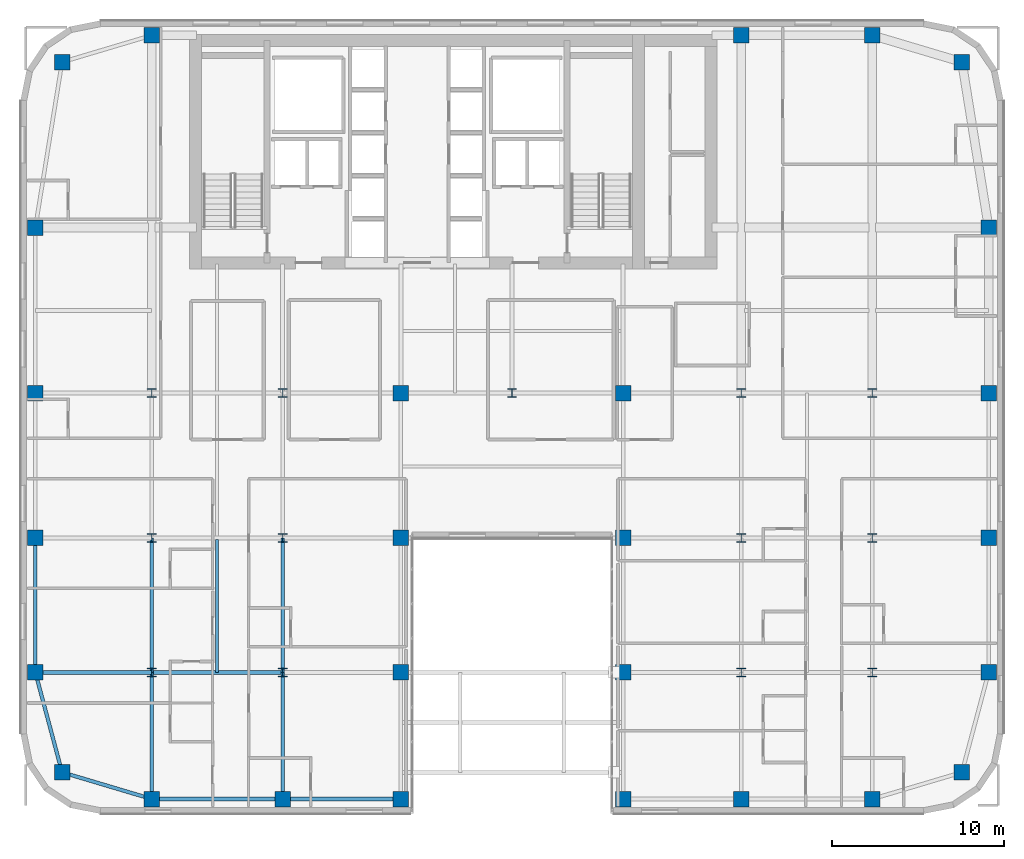
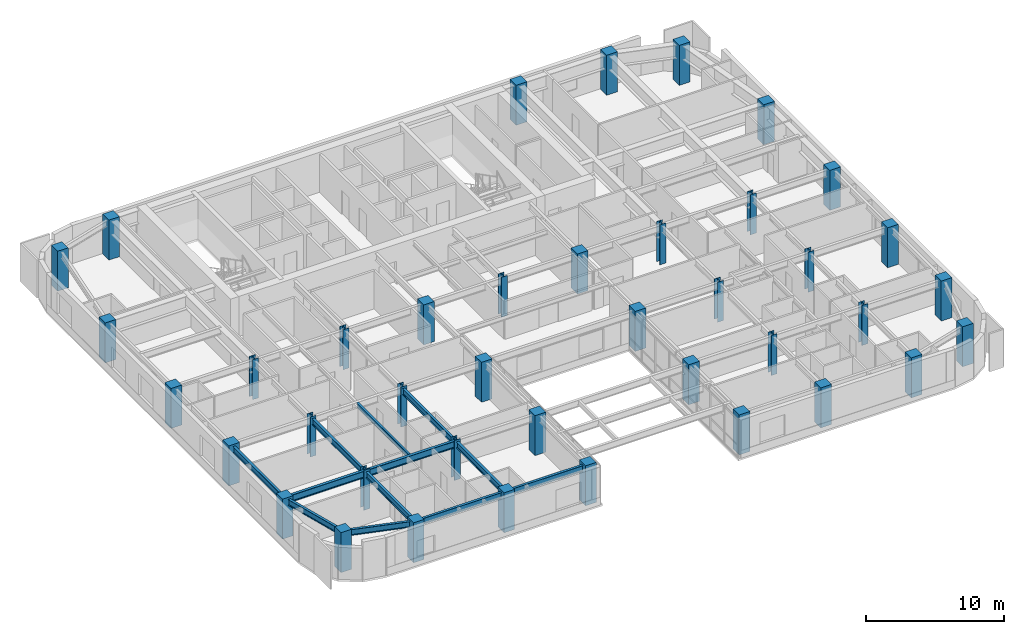
# One storey, part 1 of 24: 40 columns, 12 beams.
"""IFC4 building model written with IfcOpenShell, lengths in metres."""

from ifc_helpers import new_model, si_unit, direction, frame, origin, origin_2d, place, context, subcontext, project, spatial, rectangle, i_section, extrude, source, transform, mapped, material, material_profile, profile_set, type_object, type_shapes, element, save


model = new_model("IFC4")

# Units and contexts
model_context = context("Model", 3, precision=1e-05, world=origin(), true_north=direction((0.0, 1.0)))
body_context = subcontext(model_context, "Body", "Model", "MODEL_VIEW")
ifc_project = project(units=[si_unit("LENGTHUNIT", "METRE"), si_unit("AREAUNIT", "SQUARE_METRE"), si_unit("VOLUMEUNIT", "CUBIC_METRE"), si_unit("PLANEANGLEUNIT", "RADIAN"), si_unit("MASSUNIT", "GRAM", prefix="KILO")], contexts=[model_context])

# Site, building, storey
site_placement = place(None, origin())
site = spatial("IfcSite", under=ifc_project, at=site_placement, CompositionType="ELEMENT")
building_placement = place(site_placement, origin())
building = spatial("IfcBuilding", under=site, at=building_placement, Name="Tolvann Quenvar Hotel", CompositionType="ELEMENT")
storey_placement = place(building_placement, frame((0.0, 0.0, 118.64990234375)))
storey = spatial("IfcBuildingStorey", under=building, at=storey_placement, Name="L30", CompositionType="ELEMENT", Elevation=118.64990234375)

# Columns
ifc_material_1 = material(Name="Concrete S65 (65 MPa)", Category="concrete")
ifc_material_profile_1 = material_profile(ifc_material_1, rectangle(XDim=0.89990234375, YDim=0.89990234375, at=origin_2d()), Name="RC900x900")
ifc_profile_set_1 = profile_set([ifc_material_profile_1], Name="Concrete S65 (65 MPa)")
column_type_1 = type_object("IfcColumnType", Name="COL_RC900", PredefinedType="COLUMN", material=ifc_profile_set_1)
shared_shape_1 = source(origin(), body_context, "Body", "SweptSolid", [
    extrude(rectangle(XDim=0.89990234375, YDim=0.89990234375, at=origin_2d()), origin(), (0.0, 0.0, 1.0), 3.550048828125),
])
type_shapes(column_type_1, [shared_shape_1])
for number, where, z_axis, x_axis, name in (
    (1, (2.39990234375, 2.39990234375, 0.0), (0.0, 0.0, 1.0), (1.0, 0.0, 0.0), "Column B2 (L30)"),
    (2, (0.85009765625, 8.199951171875, 0.0), (0.0, 0.0, 1.0), (1.0, 0.0, 0.0), "Column B3 (L30)"),
    (3, (0.85009765625, 16.0, 0.0), (0.0, 0.0, 1.0), (1.0, 0.0, 0.0), "Column B4 (L30)"),
    (4, (0.85009765625, 24.39990234375, 0.0), (0.0, 0.0, 1.0), (1.0, 0.0, 0.0), "Column B5 (L30)"),
    (5, (7.60009765625, 0.85009765625, 0.0), (0.0, 0.0, 1.0), (1.0, 0.0, 0.0), "Column C2 (L30)"),
    (6, (15.199951171875, 0.85009765625, 0.0), (0.0, 0.0, 1.0), (1.0, 0.0, 0.0), "Column D2 (L30)"),
    (7, (22.050048828125, 0.85009765625, 0.0), (0.0, 0.0, 1.0), (1.0, 0.0, 0.0), "Column E2 (L30)"),
    (8, (22.050048828125, 8.199951171875, 0.0), (0.0, 0.0, 1.0), (1.0, 0.0, 0.0), "Column E3 (L30)"),
    (9, (22.050048828125, 16.0, 0.0), (0.0, 0.0, 1.0), (1.0, 0.0, 0.0), "Column E4 (L30)"),
    (10, (22.050048828125, 24.39990234375, 0.0), (0.0, 0.0, 1.0), (1.0, 0.0, 0.0), "Column E5 (L30)"),
    (11, (34.949951171875, 0.85009765625, 0.0), (0.0, 0.0, 1.0), (1.0, 0.0, 0.0), "Column F2 (L30)"),
    (12, (34.949951171875, 8.199951171875, 0.0), (0.0, 0.0, 1.0), (1.0, 0.0, 0.0), "Column F3 (L30)"),
    (13, (34.949951171875, 16.0, 0.0), (0.0, 0.0, 1.0), (1.0, 0.0, 0.0), "Column F4 (L30)"),
    (14, (34.949951171875, 24.39990234375, 0.0), (0.0, 0.0, 1.0), (1.0, 0.0, 0.0), "Column F5 (L30)"),
    (15, (41.800048828125, 0.85009765625, 0.0), (0.0, 0.0, 1.0), (1.0, 0.0, 0.0), "Column H2 (L30)"),
    (16, (49.39990234375, 0.85009765625, 0.0), (0.0, 0.0, 1.0), (1.0, 0.0, 0.0), "Column I2 (L30)"),
    (17, (54.60009765625, 2.39990234375, 0.0), (0.0, 0.0, 1.0), (1.0, 0.0, 0.0), "Column J2 (L30)"),
    (18, (56.14990234375, 8.199951171875, 0.0), (0.0, 0.0, 1.0), (1.0, 0.0, 0.0), "Column J3 (L30)"),
    (19, (56.14990234375, 16.0, 0.0), (0.0, 0.0, 1.0), (1.0, 0.0, 0.0), "Column J4 (L30)"),
    (20, (56.14990234375, 24.39990234375, 0.0), (0.0, 0.0, 1.0), (1.0, 0.0, 0.0), "Column J5 (L30)"),
    (21, (2.39990234375, 43.60009765625, 0.0), (0.0, 0.0, 1.0), (1.0, 0.0, 0.0), "Column BN (L30)"),
    (22, (7.60009765625, 45.14990234375, 0.0), (0.0, 0.0, 1.0), (1.0, 0.0, 0.0), "Column CN (L30)"),
    (23, (0.85009765625, 34.0, 0.0), (0.0, 0.0, 1.0), (1.0, 0.0, 0.0), "Column BD6 (L30)"),
    (24, (41.800048828125, 45.14990234375, 0.0), (0.0, 0.0, 1.0), (1.0, 0.0, 0.0), "Column HN (L30)"),
    (25, (49.39990234375, 45.14990234375, 0.0), (0.0, 0.0, 1.0), (1.0, 0.0, 0.0), "Column IN (L30)"),
    (26, (54.60009765625, 43.60009765625, 0.0), (0.0, 0.0, 1.0), (1.0, 0.0, 0.0), "Column JN (L30)"),
    (27, (56.14990234375, 34.0, 0.0), (0.0, 0.0, 1.0), (1.0, 0.0, 0.0), "Column JD6 (L30)"),
):
    element("IfcColumn", number, at=place(storey_placement, frame(where, z_axis=z_axis, x_axis=x_axis)), inside=storey, type_object=column_type_1, Name=name, PredefinedType="COLUMN", context=body_context, shape_type="MappedRepresentation", body=[
        mapped(shared_shape_1, transform((0.0, 0.0, 0.0), x_axis=(1.0, 0.0, 0.0), y_axis=(0.0, 1.0, 0.0), z_axis=(0.0, 0.0, 1.0), scale=1.0)),
    ])
ifc_material_2 = material(Name="Steel Grade 350", Category="steel")
ifc_material_profile_2 = material_profile(ifc_material_2, i_section(OverallWidth=0.5, OverallDepth=0.5, WebThickness=0.02197265625, FlangeThickness=0.033935546875, at=origin_2d()), Name="500WC340")
ifc_profile_set_2 = profile_set([ifc_material_profile_2], Name="Steel Grade 350")
column_type_2 = type_object("IfcColumnType", Name="COL_500WC340", PredefinedType="COLUMN", material=ifc_profile_set_2)
shared_shape_2 = source(origin(), body_context, "Body", "SweptSolid", [
    extrude(i_section(OverallWidth=0.5, OverallDepth=0.5, WebThickness=0.02197265625, FlangeThickness=0.033935546875, at=origin_2d()), origin(), (0.0, 0.0, 1.0), 3.550048828125),
])
type_shapes(column_type_2, [shared_shape_2])
for number, where, z_axis, x_axis, name in (
    (28, (7.60009765625, 8.199951171875, 0.0), (0.0, 0.0, 1.0), (1.0, 0.0, 0.0), "Column C3 (L30)"),
    (29, (7.60009765625, 16.0, 0.0), (0.0, 0.0, 1.0), (1.0, 0.0, 0.0), "Column C4 (L30)"),
    (30, (7.60009765625, 24.39990234375, 0.0), (0.0, 0.0, 1.0), (1.0, 0.0, 0.0), "Column C5 (L30)"),
    (31, (15.199951171875, 8.199951171875, 0.0), (0.0, 0.0, 1.0), (1.0, 0.0, 0.0), "Column D3 (L30)"),
    (32, (15.199951171875, 16.0, 0.0), (0.0, 0.0, 1.0), (1.0, 0.0, 0.0), "Column D4 (L30)"),
    (33, (15.199951171875, 24.39990234375, 0.0), (0.0, 0.0, 1.0), (1.0, 0.0, 0.0), "Column D5 (L30)"),
    (34, (41.800048828125, 8.199951171875, 0.0), (0.0, 0.0, 1.0), (1.0, 0.0, 0.0), "Column H3 (L30)"),
    (35, (41.800048828125, 16.0, 0.0), (0.0, 0.0, 1.0), (1.0, 0.0, 0.0), "Column H4 (L30)"),
    (36, (41.800048828125, 24.39990234375, 0.0), (0.0, 0.0, 1.0), (1.0, 0.0, 0.0), "Column H5 (L30)"),
    (37, (49.39990234375, 8.199951171875, 0.0), (0.0, 0.0, 1.0), (1.0, 0.0, 0.0), "Column I3 (L30)"),
    (38, (49.39990234375, 16.0, 0.0), (0.0, 0.0, 1.0), (1.0, 0.0, 0.0), "Column I4 (L30)"),
    (39, (49.39990234375, 24.39990234375, 0.0), (0.0, 0.0, 1.0), (1.0, 0.0, 0.0), "Column I5 (L30)"),
    (40, (28.5, 24.39990234375, 0.0), (0.0, 0.0, 1.0), (1.0, 0.0, 0.0), "Column M5 (L30)"),
):
    element("IfcColumn", number, at=place(storey_placement, frame(where, z_axis=z_axis, x_axis=x_axis)), inside=storey, type_object=column_type_2, Name=name, PredefinedType="COLUMN", context=body_context, shape_type="MappedRepresentation", body=[
        mapped(shared_shape_2, transform((0.0, 0.0, 0.0), x_axis=(1.0, 0.0, 0.0), y_axis=(0.0, 1.0, 0.0), z_axis=(0.0, 0.0, 1.0), scale=1.0)),
    ])

# Beams
ifc_material_profile_3 = material_profile(ifc_material_2, i_section(OverallWidth=0.208984375, OverallDepth=0.528076171875, WebThickness=0.009521484375, FlangeThickness=0.01318359375, FilletRadius=0.013916015625, at=origin_2d()), Name="530UB82")
ifc_profile_set_3 = profile_set([ifc_material_profile_3], Name="Steel Grade 350")
beam_type_1 = type_object("IfcBeamType", Name="BM_SPAND_530UB82", PredefinedType="SPANDREL", material=ifc_profile_set_3)
shared_shape_3 = source(origin(), body_context, "Body", "SweptSolid", [
    extrude(i_section(OverallWidth=0.208984375, OverallDepth=0.528076171875, WebThickness=0.009521484375, FlangeThickness=0.01318359375, FilletRadius=0.013916015625, at=origin_2d()), origin(), (0.0, 0.0, 1.0), 5.42626953125),
])
beam_1_placement = place(storey_placement, frame((2.39990234375, 2.39990234375, 3.106201171875), z_axis=(0.958344815522, -0.285613750654, 0.0), x_axis=(0.285613750654, 0.958344815522, 0.0)))
element("IfcBeam", 41, at=beam_1_placement, inside=storey, type_object=beam_type_1, Name="BM-L30-EW-2-B2-C2", PredefinedType="SPANDREL", context=body_context, shape_type="MappedRepresentation", body=[
    mapped(shared_shape_3, transform((0.0, 0.0, 0.0), x_axis=(1.0, 0.0, 0.0), y_axis=(0.0, 1.0, 0.0), z_axis=(0.0, 0.0, 1.0), scale=1.0)),
])
shared_shape_4 = source(origin(), body_context, "Body", "SweptSolid", [
    extrude(i_section(OverallWidth=0.208984375, OverallDepth=0.528076171875, WebThickness=0.009521484375, FlangeThickness=0.01318359375, FilletRadius=0.013916015625, at=origin_2d()), origin(), (0.0, 0.0, 1.0), 7.599853515625),
])
beam_2_placement = place(storey_placement, frame((7.60009765625, 0.85009765625, 3.106201171875), z_axis=(1.0, 0.0, 0.0), x_axis=(0.0, 1.0, 0.0)))
element("IfcBeam", 42, at=beam_2_placement, inside=storey, type_object=beam_type_1, Name="BM-L30-EW-2-C2-D2", PredefinedType="SPANDREL", context=body_context, shape_type="MappedRepresentation", body=[
    mapped(shared_shape_4, transform((0.0, 0.0, 0.0), x_axis=(1.0, 0.0, 0.0), y_axis=(0.0, 1.0, 0.0), z_axis=(0.0, 0.0, 1.0), scale=1.0)),
])
shared_shape_5 = source(origin(), body_context, "Body", "SweptSolid", [
    extrude(i_section(OverallWidth=0.208984375, OverallDepth=0.528076171875, WebThickness=0.009521484375, FlangeThickness=0.01318359375, FilletRadius=0.013916015625, at=origin_2d()), origin(), (0.0, 0.0, 1.0), 6.85009765625),
])
beam_3_placement = place(storey_placement, frame((15.199951171875, 0.85009765625, 3.106201171875), z_axis=(1.0, 0.0, 0.0), x_axis=(0.0, 1.0, 0.0)))
element("IfcBeam", 43, at=beam_3_placement, inside=storey, type_object=beam_type_1, Name="BM-L30-EW-2-D2-E2", PredefinedType="SPANDREL", context=body_context, shape_type="MappedRepresentation", body=[
    mapped(shared_shape_5, transform((0.0, 0.0, 0.0), x_axis=(1.0, 0.0, 0.0), y_axis=(0.0, 1.0, 0.0), z_axis=(0.0, 0.0, 1.0), scale=1.0)),
])
ifc_material_profile_4 = material_profile(ifc_material_2, i_section(OverallWidth=0.22900390625, OverallDepth=0.612060546875, WebThickness=0.011962890625, FlangeThickness=0.01953125, FilletRadius=0.013916015625, at=origin_2d()), Name="610UB125")
ifc_profile_set_4 = profile_set([ifc_material_profile_4], Name="Steel Grade 350")
beam_type_2 = type_object("IfcBeamType", Name="BM_GIRD_610UB125", PredefinedType="BEAM", material=ifc_profile_set_4)
shared_shape_6 = source(origin(), body_context, "Body", "SweptSolid", [
    extrude(i_section(OverallWidth=0.22900390625, OverallDepth=0.612060546875, WebThickness=0.011962890625, FlangeThickness=0.01953125, FilletRadius=0.013916015625, at=origin_2d()), origin(), (0.0, 0.0, 1.0), 6.75),
])
beam_4_placement = place(storey_placement, frame((0.85009765625, 8.199951171875, 3.064208984375), z_axis=(1.0, 0.0, 0.0), x_axis=(0.0, 1.0, 0.0)))
element("IfcBeam", 44, at=beam_4_placement, inside=storey, type_object=beam_type_2, Name="BM-L30-EW-3-B3-C3", PredefinedType="BEAM", context=body_context, shape_type="MappedRepresentation", body=[
    mapped(shared_shape_6, transform((0.0, 0.0, 0.0), x_axis=(1.0, 0.0, 0.0), y_axis=(0.0, 1.0, 0.0), z_axis=(0.0, 0.0, 1.0), scale=1.0)),
])
shared_shape_7 = source(origin(), body_context, "Body", "SweptSolid", [
    extrude(i_section(OverallWidth=0.22900390625, OverallDepth=0.612060546875, WebThickness=0.011962890625, FlangeThickness=0.01953125, FilletRadius=0.013916015625, at=origin_2d()), origin(), (0.0, 0.0, 1.0), 7.599853515625),
])
type_shapes(beam_type_2, [shared_shape_6, shared_shape_7])
beam_5_placement = place(storey_placement, frame((7.60009765625, 8.199951171875, 3.064208984375), z_axis=(1.0, 0.0, 0.0), x_axis=(0.0, 1.0, 0.0)))
element("IfcBeam", 45, at=beam_5_placement, inside=storey, type_object=beam_type_2, Name="BM-L30-EW-3-C3-D3", PredefinedType="BEAM", context=body_context, shape_type="MappedRepresentation", body=[
    mapped(shared_shape_7, transform((0.0, 0.0, 0.0), x_axis=(1.0, 0.0, 0.0), y_axis=(0.0, 1.0, 0.0), z_axis=(0.0, 0.0, 1.0), scale=1.0)),
])
shared_shape_8 = source(origin(), body_context, "Body", "SweptSolid", [
    extrude(i_section(OverallWidth=0.208984375, OverallDepth=0.528076171875, WebThickness=0.009521484375, FlangeThickness=0.01318359375, FilletRadius=0.013916015625, at=origin_2d()), origin(), (0.0, 0.0, 1.0), 6.00341796875),
])
beam_6_placement = place(storey_placement, frame((2.39990234375, 2.39990234375, 3.106201171875), z_axis=(-0.258148586649, 0.966105225745, 0.0), x_axis=(-0.966105225745, -0.258148586649, 0.0)))
element("IfcBeam", 46, at=beam_6_placement, inside=storey, type_object=beam_type_1, Name="BM-L30-NS-B2-B3", PredefinedType="SPANDREL", context=body_context, shape_type="MappedRepresentation", body=[
    mapped(shared_shape_8, transform((0.0, 0.0, 0.0), x_axis=(1.0, 0.0, 0.0), y_axis=(0.0, 1.0, 0.0), z_axis=(0.0, 0.0, 1.0), scale=1.0)),
])
shared_shape_9 = source(origin(), body_context, "Body", "SweptSolid", [
    extrude(i_section(OverallWidth=0.208984375, OverallDepth=0.528076171875, WebThickness=0.009521484375, FlangeThickness=0.01318359375, FilletRadius=0.013916015625, at=origin_2d()), origin(), (0.0, 0.0, 1.0), 7.800048828125),
])
type_shapes(beam_type_1, [shared_shape_3, shared_shape_4, shared_shape_5, shared_shape_8, shared_shape_9])
beam_7_placement = place(storey_placement, frame((0.85009765625, 8.199951171875, 3.106201171875), z_axis=(0.0, 1.0, 0.0), x_axis=(-1.0, 0.0, 0.0)))
element("IfcBeam", 47, at=beam_7_placement, inside=storey, type_object=beam_type_1, Name="BM-L30-NS-B3-B4", PredefinedType="SPANDREL", context=body_context, shape_type="MappedRepresentation", body=[
    mapped(shared_shape_9, transform((0.0, 0.0, 0.0), x_axis=(1.0, 0.0, 0.0), y_axis=(0.0, 1.0, 0.0), z_axis=(0.0, 0.0, 1.0), scale=1.0)),
])
ifc_material_profile_5 = material_profile(ifc_material_2, i_section(OverallWidth=0.208984375, OverallDepth=0.532958984375, WebThickness=0.01025390625, FlangeThickness=0.015625, FilletRadius=0.013916015625, at=origin_2d()), Name="530UB92")
ifc_profile_set_5 = profile_set([ifc_material_profile_5], Name="Steel Grade 350")
beam_type_3 = type_object("IfcBeamType", Name="BM_GIRD_530UB92", PredefinedType="BEAM", material=ifc_profile_set_5)
shared_shape_10 = source(origin(), body_context, "Body", "SweptSolid", [
    extrude(i_section(OverallWidth=0.208984375, OverallDepth=0.532958984375, WebThickness=0.01025390625, FlangeThickness=0.015625, FilletRadius=0.013916015625, at=origin_2d()), origin(), (0.0, 0.0, 1.0), 7.349853515625),
])
for number, where, z_axis, x_axis, name in (
    (48, (7.60009765625, 0.85009765625, 3.103515625), (0.0, 1.0, 0.0), (-1.0, 0.0, 0.0), "BM-L30-NS-C2-C3"),
    (49, (15.199951171875, 0.85009765625, 3.103515625), (0.0, 1.0, 0.0), (-1.0, 0.0, 0.0), "BM-L30-NS-D2-D3"),
):
    element("IfcBeam", number, at=place(storey_placement, frame(where, z_axis=z_axis, x_axis=x_axis)), inside=storey, type_object=beam_type_3, Name=name, PredefinedType="BEAM", context=body_context, shape_type="MappedRepresentation", body=[
        mapped(shared_shape_10, transform((0.0, 0.0, 0.0), x_axis=(1.0, 0.0, 0.0), y_axis=(0.0, 1.0, 0.0), z_axis=(0.0, 0.0, 1.0), scale=1.0)),
    ])
shared_shape_11 = source(origin(), body_context, "Body", "SweptSolid", [
    extrude(i_section(OverallWidth=0.208984375, OverallDepth=0.532958984375, WebThickness=0.01025390625, FlangeThickness=0.015625, FilletRadius=0.013916015625, at=origin_2d()), origin(), (0.0, 0.0, 1.0), 7.800048828125),
])
type_shapes(beam_type_3, [shared_shape_10, shared_shape_11])
for number, where, z_axis, x_axis, name in (
    (50, (7.60009765625, 8.199951171875, 3.103515625), (0.0, 1.0, 0.0), (-1.0, 0.0, 0.0), "BM-L30-NS-C3-C4"),
    (51, (15.199951171875, 8.199951171875, 3.103515625), (0.0, 1.0, 0.0), (-1.0, 0.0, 0.0), "BM-L30-NS-D3-D4"),
):
    element("IfcBeam", number, at=place(storey_placement, frame(where, z_axis=z_axis, x_axis=x_axis)), inside=storey, type_object=beam_type_3, Name=name, PredefinedType="BEAM", context=body_context, shape_type="MappedRepresentation", body=[
        mapped(shared_shape_11, transform((0.0, 0.0, 0.0), x_axis=(1.0, 0.0, 0.0), y_axis=(0.0, 1.0, 0.0), z_axis=(0.0, 0.0, 1.0), scale=1.0)),
    ])
ifc_material_profile_6 = material_profile(ifc_material_2, i_section(OverallWidth=0.177978515625, OverallDepth=0.406005859375, WebThickness=0.0078125, FlangeThickness=0.0126953125, FilletRadius=0.011474609375, at=origin_2d()), Name="410UB60")
ifc_profile_set_6 = profile_set([ifc_material_profile_6], Name="Steel Grade 350")
beam_type_4 = type_object("IfcBeamType", Name="BM_JOIST_410UB60", PredefinedType="JOIST", material=ifc_profile_set_6)
shared_shape_12 = source(origin(), body_context, "Body", "SweptSolid", [
    extrude(i_section(OverallWidth=0.177978515625, OverallDepth=0.406005859375, WebThickness=0.0078125, FlangeThickness=0.0126953125, FilletRadius=0.011474609375, at=origin_2d()), origin(), (0.0, 0.0, 1.0), 7.691650390625),
])
type_shapes(beam_type_4, [shared_shape_12])
beam_8_placement = place(storey_placement, frame((11.39990234375, 8.199951171875, 3.1669921875), z_axis=(0.0, 1.0, 0.0), x_axis=(-1.0, 0.0, 0.0)))
element("IfcBeam", 52, at=beam_8_placement, inside=storey, type_object=beam_type_4, Name="BJ-L30-114-82", PredefinedType="JOIST", context=body_context, shape_type="MappedRepresentation", body=[
    mapped(shared_shape_12, transform((0.0, 0.0, 0.0), x_axis=(1.0, 0.0, 0.0), y_axis=(0.0, 1.0, 0.0), z_axis=(0.0, 0.0, 1.0), scale=1.0)),
])

save(model, "model.ifc")
